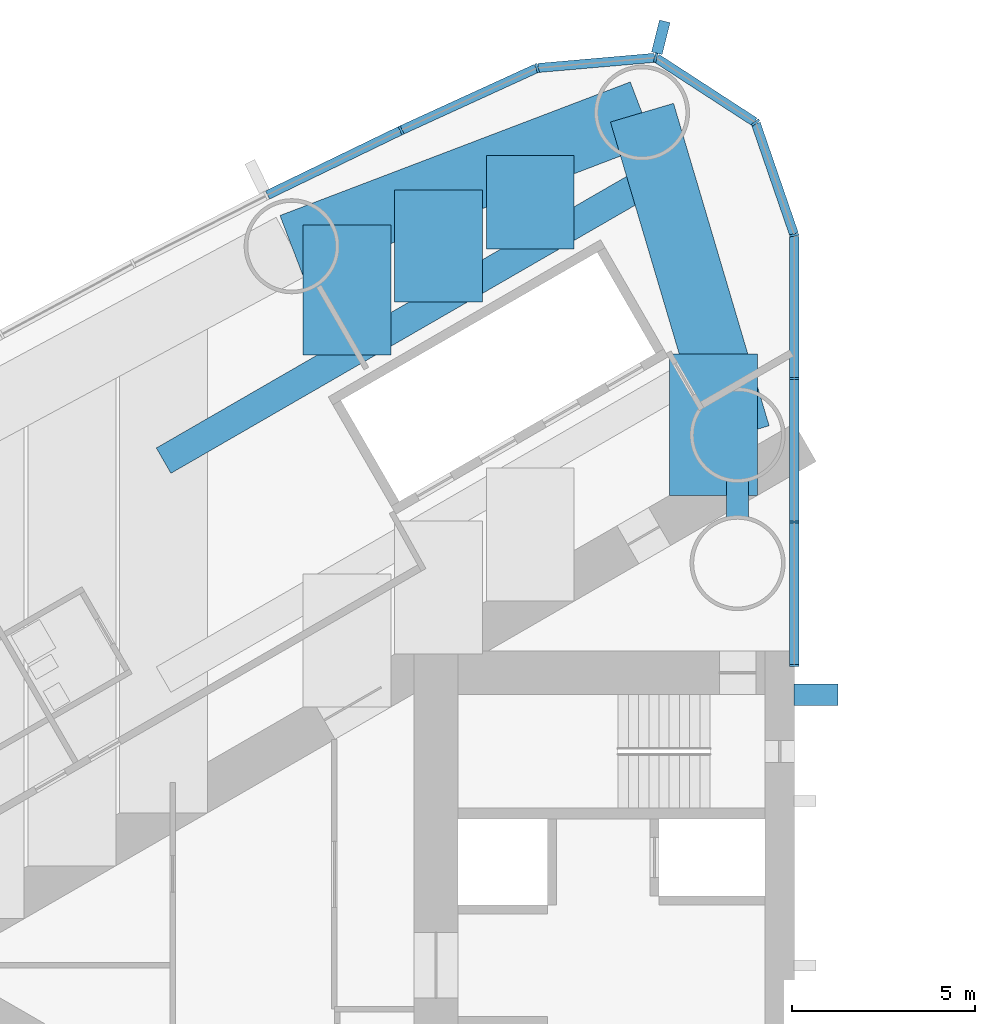
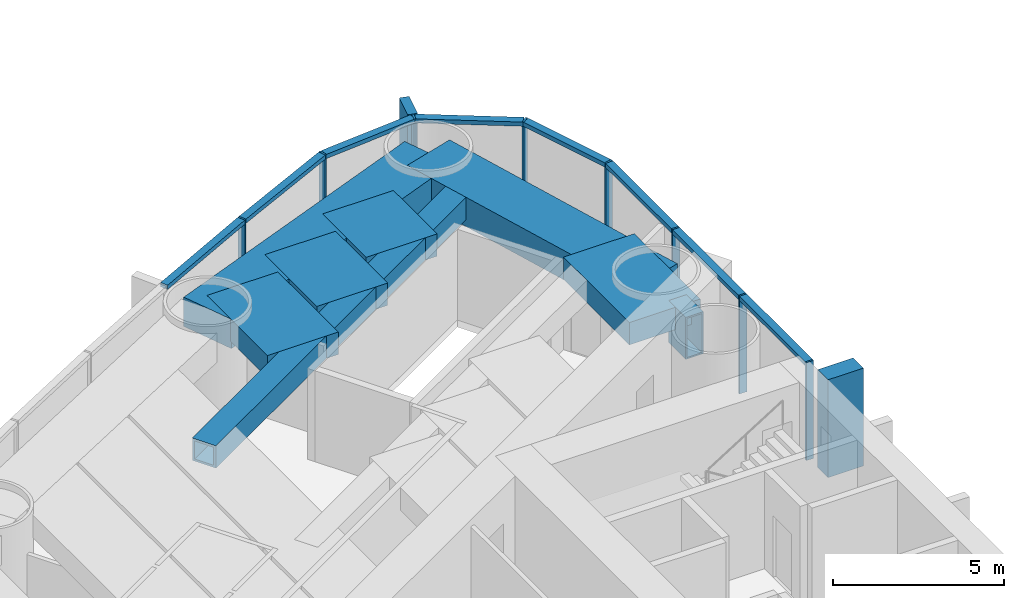
# One storey, part 5 of 18: 18 members, 8 beams, 1 element without a shape of its own.
"""IFC4 building model written with IfcOpenShell, lengths in metres."""

from ifc_helpers import new_model, si_unit, direction, frame, origin, origin_2d, place, context, subcontext, project, spatial, rectangle, hollow_rectangle, extrude, material, material_profile, profile_set, type_object, element, aggregate, save


model = new_model("IFC4")

# Units and contexts
model_context = context("Model", 3, precision=1e-05, world=origin(), true_north=direction((0.0, 1.0)))
body_context = subcontext(model_context, "Body", "Model", "MODEL_VIEW")
ifc_project = project(units=[si_unit("LENGTHUNIT", "METRE"), si_unit("AREAUNIT", "SQUARE_METRE"), si_unit("VOLUMEUNIT", "CUBIC_METRE"), si_unit("PLANEANGLEUNIT", "RADIAN"), si_unit("MASSUNIT", "GRAM", prefix="KILO")], contexts=[model_context])

# Site, building, storey
site_placement = place(None, origin())
site = spatial("IfcSite", under=ifc_project, at=site_placement, CompositionType="ELEMENT")
building_placement = place(site_placement, origin())
building = spatial("IfcBuilding", under=site, at=building_placement, Name="Lancet Gate Hotel", CompositionType="ELEMENT")
storey_placement = place(building_placement, frame((0.0, 0.0, 118.60009765625)))
storey = spatial("IfcBuildingStorey", under=building, at=storey_placement, Name="L31", CompositionType="ELEMENT", Elevation=118.60009765625)

# Curtain wall, members
ifc_material_1 = material(Name="Aluminium curtain wall", Category="aluminium")
curtain_wall_type = type_object("IfcCurtainWallType", Name="Tower unitised curtain wall", PredefinedType="USERDEFINED", material=ifc_material_1)
curtain_wall_placement = place(storey_placement, origin())
curtain_wall = element("IfcCurtainWall", 1, at=curtain_wall_placement, inside=storey, type_object=curtain_wall_type, Name="T1 L31 curtain wall 1", ObjectType="UNITISED CURTAIN WALL", PredefinedType="USERDEFINED")
ifc_material_2 = material(Name="Aluminium mullion", Category="aluminium")
ifc_material_profile_1 = material_profile(ifc_material_2, rectangle(XDim=0.06494140625, YDim=0.25, at=origin_2d()), Name="MULLION 65x250")
ifc_profile_set_1 = profile_set([ifc_material_profile_1], Name="Aluminium mullion")
member_type_1 = type_object("IfcMemberType", Name="Aluminium mullion 65x250", PredefinedType="MULLION", material=ifc_profile_set_1)
member_1_placement = place(storey_placement, frame((-27.5, 8.199951171875, 0.0), z_axis=(0.0, 0.0, 1.0), x_axis=(0.0, 1.0, 0.0)))
member_1 = element("IfcMember", 2, at=member_1_placement, type_object=member_type_1, Name="T1 L31 curtain wall 1 mullion 1", PredefinedType="MULLION", context=body_context, shape_type="SweptSolid", body=[
    extrude(rectangle(XDim=0.06494140625, YDim=0.25, at=origin_2d()), origin(), (0.0, 0.0, 1.0), 3.5),
])
member_2_placement = place(storey_placement, frame((-27.5, 12.123779296875, 0.0), z_axis=(0.0, 0.0, 1.0), x_axis=(0.0, 1.0, 0.0)))
member_2 = element("IfcMember", 3, at=member_2_placement, type_object=member_type_1, Name="T1 L31 curtain wall 1 mullion 2", PredefinedType="MULLION", context=body_context, shape_type="SweptSolid", body=[
    extrude(rectangle(XDim=0.06494140625, YDim=0.25, at=origin_2d()), origin(), (0.0, 0.0, 1.0), 3.5),
])
member_3_placement = place(storey_placement, frame((-27.5, 16.04736328125, 0.0), z_axis=(0.0, 0.0, 1.0), x_axis=(0.0, 1.0, 0.0)))
member_3 = element("IfcMember", 4, at=member_3_placement, type_object=member_type_1, Name="T1 L31 curtain wall 1 mullion 3", PredefinedType="MULLION", context=body_context, shape_type="SweptSolid", body=[
    extrude(rectangle(XDim=0.06494140625, YDim=0.25, at=origin_2d()), origin(), (0.0, 0.0, 1.0), 3.5),
])
member_4_placement = place(storey_placement, frame((-27.5, 19.97119140625, 0.0), z_axis=(0.0, 0.0, 1.0), x_axis=(-0.149634446211, 0.988741388082, 0.0)))
member_4 = element("IfcMember", 5, at=member_4_placement, type_object=member_type_1, Name="T1 L31 curtain wall 1 mullion 4", PredefinedType="MULLION", context=body_context, shape_type="SweptSolid", body=[
    extrude(rectangle(XDim=0.06494140625, YDim=0.25, at=origin_2d()), origin(), (0.0, 0.0, 1.0), 3.5),
])
member_5_placement = place(storey_placement, frame((-28.5595703125, 23.049072265625, 0.0), z_axis=(0.0, 0.0, 1.0), x_axis=(-0.615574240878, 0.788078900851, 0.0)))
member_5 = element("IfcMember", 6, at=member_5_placement, type_object=member_type_1, Name="T1 L31 curtain wall 1 mullion 5", PredefinedType="MULLION", context=body_context, shape_type="SweptSolid", body=[
    extrude(rectangle(XDim=0.06494140625, YDim=0.25, at=origin_2d()), origin(), (0.0, 0.0, 1.0), 3.5),
])
member_6_placement = place(storey_placement, frame((-31.289306640625, 24.822265625, 0.0), z_axis=(0.0, 0.0, 1.0), x_axis=(-0.970242142288, 0.242136707934, 0.0)))
member_6 = element("IfcMember", 7, at=member_6_placement, type_object=member_type_1, Name="T1 L31 curtain wall 1 mullion 6", PredefinedType="MULLION", context=body_context, shape_type="SweptSolid", body=[
    extrude(rectangle(XDim=0.06494140625, YDim=0.25, at=origin_2d()), origin(), (0.0, 0.0, 1.0), 3.5),
])
member_7_placement = place(storey_placement, frame((-34.5322265625, 24.53955078125, 0.0), z_axis=(0.0, 0.0, 1.0), x_axis=(-0.961653318232, -0.27426792655, 0.0)))
member_7 = element("IfcMember", 8, at=member_7_placement, type_object=member_type_1, Name="T1 L31 curtain wall 1 mullion 7", PredefinedType="MULLION", context=body_context, shape_type="SweptSolid", body=[
    extrude(rectangle(XDim=0.06494140625, YDim=0.25, at=origin_2d()), origin(), (0.0, 0.0, 1.0), 3.5),
])
member_8_placement = place(storey_placement, frame((-38.25244140625, 22.83642578125, 0.0), z_axis=(0.0, 0.0, 1.0), x_axis=(-0.904719609771, -0.426007544178, 0.0)))
member_8 = element("IfcMember", 9, at=member_8_placement, type_object=member_type_1, Name="T1 L31 curtain wall 1 mullion 8", PredefinedType="MULLION", context=body_context, shape_type="SweptSolid", body=[
    extrude(rectangle(XDim=0.06494140625, YDim=0.25, at=origin_2d()), origin(), (0.0, 0.0, 1.0), 3.5),
])
ifc_material_3 = material(Name="Aluminium transom", Category="aluminium")
ifc_material_profile_2 = material_profile(ifc_material_3, rectangle(XDim=0.25, YDim=0.14990234375, at=origin_2d()), Name="TRANSOM 250x150")
ifc_profile_set_2 = profile_set([ifc_material_profile_2], Name="Aluminium transom")
member_type_2 = type_object("IfcMemberType", Name="Aluminium transom 250x150", PredefinedType="USERDEFINED", material=ifc_profile_set_2)
member_9_placement = place(storey_placement, frame((-27.5, 8.232421875, 3.4248046875), z_axis=(0.0, 1.0, 0.0), x_axis=(-1.0, 0.0, 0.0)))
member_9 = element("IfcMember", 10, at=member_9_placement, type_object=member_type_2, Name="T1 L31 curtain wall 1 transom 1", ObjectType="TRANSOM", PredefinedType="USERDEFINED", context=body_context, shape_type="SweptSolid", body=[
    extrude(rectangle(XDim=0.25, YDim=0.14990234375, at=origin_2d()), origin(), (0.0, 0.0, 1.0), 3.85888671875),
])
member_10_placement = place(storey_placement, frame((-27.5, 12.15625, 3.4248046875), z_axis=(0.0, 1.0, 0.0), x_axis=(-1.0, 0.0, 0.0)))
member_10 = element("IfcMember", 11, at=member_10_placement, type_object=member_type_2, Name="T1 L31 curtain wall 1 transom 2", ObjectType="TRANSOM", PredefinedType="USERDEFINED", context=body_context, shape_type="SweptSolid", body=[
    extrude(rectangle(XDim=0.25, YDim=0.14990234375, at=origin_2d()), origin(), (0.0, 0.0, 1.0), 3.858642578125),
])
member_11_placement = place(storey_placement, frame((-27.5, 16.079833984375, 3.4248046875), z_axis=(0.0, 1.0, 0.0), x_axis=(-1.0, 0.0, 0.0)))
member_11 = element("IfcMember", 12, at=member_11_placement, type_object=member_type_2, Name="T1 L31 curtain wall 1 transom 3", ObjectType="TRANSOM", PredefinedType="USERDEFINED", context=body_context, shape_type="SweptSolid", body=[
    extrude(rectangle(XDim=0.25, YDim=0.14990234375, at=origin_2d()), origin(), (0.0, 0.0, 1.0), 3.858642578125),
])
member_12_placement = place(storey_placement, frame((-27.510498046875, 20.001708984375, 3.4248046875), z_axis=(-0.32553312754, 0.945530635609, 0.0), x_axis=(-0.945530635609, -0.32553312754, 0.0)))
member_12 = element("IfcMember", 13, at=member_12_placement, type_object=member_type_2, Name="T1 L31 curtain wall 1 transom 4", ObjectType="TRANSOM", PredefinedType="USERDEFINED", context=body_context, shape_type="SweptSolid", body=[
    extrude(rectangle(XDim=0.25, YDim=0.14990234375, at=origin_2d()), origin(), (0.0, 0.0, 1.0), 3.1904296875),
])
member_13_placement = place(storey_placement, frame((-28.5869140625, 23.066650390625, 3.4248046875), z_axis=(-0.838550259452, 0.544824249068, 0.0), x_axis=(-0.544824249068, -0.838550259452, 0.0)))
member_13 = element("IfcMember", 14, at=member_13_placement, type_object=member_type_2, Name="T1 L31 curtain wall 1 transom 5", ObjectType="TRANSOM", PredefinedType="USERDEFINED", context=body_context, shape_type="SweptSolid", body=[
    extrude(rectangle(XDim=0.25, YDim=0.14990234375, at=origin_2d()), origin(), (0.0, 0.0, 1.0), 3.190185546875),
])
member_14_placement = place(storey_placement, frame((-31.32177734375, 24.819580078125, 3.4248046875), z_axis=(-0.996213545522, -0.086940046686, 0.0), x_axis=(0.086940046686, -0.996213545522, 0.0)))
member_14 = element("IfcMember", 15, at=member_14_placement, type_object=member_type_2, Name="T1 L31 curtain wall 1 transom 6", ObjectType="TRANSOM", PredefinedType="USERDEFINED", context=body_context, shape_type="SweptSolid", body=[
    extrude(rectangle(XDim=0.25, YDim=0.14990234375, at=origin_2d()), origin(), (0.0, 0.0, 1.0), 3.18994140625),
])
member_15_placement = place(storey_placement, frame((-34.561767578125, 24.52587890625, 3.4248046875), z_axis=(-0.909252284196, -0.416245460857, 0.0), x_axis=(0.416245460857, -0.909252284196, 0.0)))
member_15 = element("IfcMember", 16, at=member_15_placement, type_object=member_type_2, Name="T1 L31 curtain wall 1 transom 7", ObjectType="TRANSOM", PredefinedType="USERDEFINED", context=body_context, shape_type="SweptSolid", body=[
    extrude(rectangle(XDim=0.25, YDim=0.14990234375, at=origin_2d()), origin(), (0.0, 0.0, 1.0), 4.026611328125),
])
member_16_placement = place(storey_placement, frame((-38.28173828125, 22.822265625, 3.4248046875), z_axis=(-0.900065677074, -0.435754262117, 0.0), x_axis=(0.435754262117, -0.900065677074, 0.0)))
member_16 = element("IfcMember", 17, at=member_16_placement, type_object=member_type_2, Name="T1 L31 curtain wall 1 transom 8", ObjectType="TRANSOM", PredefinedType="USERDEFINED", context=body_context, shape_type="SweptSolid", body=[
    extrude(rectangle(XDim=0.25, YDim=0.14990234375, at=origin_2d()), origin(), (0.0, 0.0, 1.0), 4.026611328125),
])

# Beams
ifc_material_4 = material(Name="Concrete C50/60", Category="concrete")
ifc_material_profile_3 = material_profile(ifc_material_4, rectangle(XDim=1.800048828125, YDim=1.050048828125, at=origin_2d()), Name="RC 1800x1050")
ifc_profile_set_3 = profile_set([ifc_material_profile_3], Name="Concrete C50/60")
beam_type_1 = type_object("IfcBeamType", Name="Edge beam RC 1800x1050", PredefinedType="SPANDREL", material=ifc_profile_set_3)
beam_1_placement = place(storey_placement, frame((-31.66455078125, 23.318359375, 2.724853515625), z_axis=(-0.934392266213, -0.356245832033, 0.0), x_axis=(0.356245832033, -0.934392266213, 0.0)))
element("IfcBeam", 18, at=beam_1_placement, inside=storey, type_object=beam_type_1, Name="T1 edge beam EB1 L31", PredefinedType="SPANDREL", context=body_context, shape_type="SweptSolid", body=[
    extrude(rectangle(XDim=1.800048828125, YDim=1.050048828125, at=origin_2d()), origin(), (0.0, 0.0, 1.0), 10.2529296875),
])
beam_2_placement = place(storey_placement, frame((-31.66455078125, 23.318359375, 2.724853515625), z_axis=(0.284253711522, -0.958749095168, 0.0), x_axis=(0.958749095168, 0.284253711522, 0.0)))
element("IfcBeam", 19, at=beam_2_placement, inside=storey, type_object=beam_type_1, Name="T1 edge beam EB1 L31", PredefinedType="SPANDREL", context=body_context, shape_type="SweptSolid", body=[
    extrude(rectangle(XDim=1.800048828125, YDim=1.050048828125, at=origin_2d()), origin(), (0.0, 0.0, 1.0), 9.19775390625),
])

# Member
ifc_material_5 = material(Name="Concrete C60/75", Category="concrete")
ifc_material_profile_4 = material_profile(ifc_material_5, rectangle(XDim=0.60009765625, YDim=1.199951171875, at=origin_2d()), Name="FIN 600x1200")
ifc_profile_set_4 = profile_set([ifc_material_profile_4], Name="Concrete C60/75")
member_type_3 = type_object("IfcMemberType", Name="Exposed concrete buttress pilaster 600x1200", PredefinedType="USERDEFINED", material=ifc_profile_set_4)
member_17_placement = place(storey_placement, frame((-26.909912109375, 7.39990234375, 0.0), z_axis=(0.0, 0.0, 1.0), x_axis=(0.0, 1.0, 0.0)))
element("IfcMember", 20, at=member_17_placement, inside=storey, type_object=member_type_3, Name="T1 buttress pilaster S L31", ObjectType="FIN", PredefinedType="USERDEFINED", context=body_context, shape_type="SweptSolid", body=[
    extrude(rectangle(XDim=0.60009765625, YDim=1.199951171875, at=origin_2d()), origin(), (0.0, 0.0, 1.0), 3.5),
])

ifc_material_6 = material(Name="Precast concrete C50/60", Category="concrete")
ifc_material_profile_5 = material_profile(ifc_material_6, rectangle(XDim=0.300048828125, YDim=0.89990234375, at=origin_2d()), Name="FIN 300x900")
ifc_profile_set_5 = profile_set([ifc_material_profile_5], Name="Precast concrete C50/60")
member_type_4 = type_object("IfcMemberType", Name="Exposed concrete fin 300x900", PredefinedType="USERDEFINED", material=ifc_profile_set_5)
member_18_placement = place(storey_placement, frame((-31.150146484375, 25.380126953125, 0.0), z_axis=(0.0, 0.0, 1.0), x_axis=(-0.970242142288, 0.242136707934, 0.0)))
member_18 = element("IfcMember", 21, at=member_18_placement, type_object=member_type_4, Name="T1 L31 curtain wall 1 fin 6", ObjectType="FIN", PredefinedType="USERDEFINED", context=body_context, shape_type="SweptSolid", body=[
    extrude(rectangle(XDim=0.300048828125, YDim=0.89990234375, at=origin_2d()), origin(), (0.0, 0.0, 1.0), 3.5),
])

aggregate(curtain_wall, [member_1, member_2, member_3, member_4, member_5, member_6, member_18, member_7, member_8, member_9, member_10, member_11, member_12, member_13, member_14, member_15, member_16])

# Beams
ifc_material_7 = material(Name="Concrete C50/60", Category="concrete")
ifc_material_profile_6 = material_profile(ifc_material_7, rectangle(XDim=2.39990234375, YDim=0.800048828125, at=origin_2d()), Name="RC 2400x800")
ifc_profile_set_6 = profile_set([ifc_material_profile_6], Name="Concrete C50/60")
beam_type_2 = type_object("IfcBeamType", Name="Floor beam RC 2400x800", PredefinedType="BEAM", material=ifc_profile_set_6)
beam_3_placement = place(storey_placement, frame((-29.706787109375, 16.71533203125, 2.849853515625), z_axis=(0.0, -1.0, 0.0), x_axis=(1.0, 0.0, 0.0)))
element("IfcBeam", 22, at=beam_3_placement, inside=storey, type_object=beam_type_2, Name="T1 floor beam F02S L31", PredefinedType="BEAM", context=body_context, shape_type="SweptSolid", body=[
    extrude(rectangle(XDim=2.39990234375, YDim=0.800048828125, at=origin_2d()), origin(), (0.0, 0.0, 1.0), 3.86279296875),
])
beam_4_placement = place(storey_placement, frame((-34.720458984375, 22.1533203125, 2.849853515625), z_axis=(0.0, -1.0, 0.0), x_axis=(1.0, 0.0, 0.0)))
element("IfcBeam", 23, at=beam_4_placement, inside=storey, type_object=beam_type_2, Name="T1 floor beam F04SA L31", PredefinedType="BEAM", context=body_context, shape_type="SweptSolid", body=[
    extrude(rectangle(XDim=2.39990234375, YDim=0.800048828125, at=origin_2d()), origin(), (0.0, 0.0, 1.0), 2.561767578125),
])
beam_5_placement = place(storey_placement, frame((-37.227294921875, 21.197509765625, 2.849853515625), z_axis=(0.0, -1.0, 0.0), x_axis=(1.0, 0.0, 0.0)))
element("IfcBeam", 24, at=beam_5_placement, inside=storey, type_object=beam_type_2, Name="T1 floor beam F05SA L31", PredefinedType="BEAM", context=body_context, shape_type="SweptSolid", body=[
    extrude(rectangle(XDim=2.39990234375, YDim=0.800048828125, at=origin_2d()), origin(), (0.0, 0.0, 1.0), 3.053466796875),
])
beam_6_placement = place(storey_placement, frame((-39.734130859375, 20.24169921875, 2.849853515625), z_axis=(0.0, -1.0, 0.0), x_axis=(1.0, 0.0, 0.0)))
element("IfcBeam", 25, at=beam_6_placement, inside=storey, type_object=beam_type_2, Name="T1 floor beam F07SA L31", PredefinedType="BEAM", context=body_context, shape_type="SweptSolid", body=[
    extrude(rectangle(XDim=2.39990234375, YDim=0.800048828125, at=origin_2d()), origin(), (0.0, 0.0, 1.0), 3.545166015625),
])
ifc_material_8 = material(Name="Steel S460QL", Category="steel")
ifc_material_profile_7 = material_profile(ifc_material_8, hollow_rectangle(XDim=0.60009765625, YDim=1.5, WallThickness=0.050048828125, at=origin_2d()), Name="BOX 1500x600x50")
ifc_profile_set_7 = profile_set([ifc_material_profile_7], Name="Steel S460QL")
beam_type_3 = type_object("IfcBeamType", Name="Inner-face link beam BOX 1500x600x50", PredefinedType="BEAM", material=ifc_profile_set_7)
beam_7_placement = place(storey_placement, frame((-29.050048828125, 13.25, 2.5), z_axis=(0.0, -1.0, 0.0), x_axis=(1.0, 0.0, 0.0)))
element("IfcBeam", 26, at=beam_7_placement, inside=storey, type_object=beam_type_3, Name="T1 inner-face link beam LK1 L31", PredefinedType="BEAM", context=body_context, shape_type="SweptSolid", body=[
    extrude(hollow_rectangle(XDim=0.60009765625, YDim=1.5, WallThickness=0.050048828125, at=origin_2d()), origin(), (0.0, 0.0, 1.0), 1.0),
])
ifc_material_9 = material(Name="Steel S460QL", Category="steel")
ifc_material_profile_8 = material_profile(ifc_material_9, hollow_rectangle(XDim=0.800048828125, YDim=0.800048828125, WallThickness=0.080078125, at=origin_2d()), Name="BOX 800x800x80")
ifc_profile_set_8 = profile_set([ifc_material_profile_8], Name="Steel S460QL")
beam_type_4 = type_object("IfcBeamType", Name="Trimmer beam BOX 800x800x80", PredefinedType="BEAM", material=ifc_profile_set_8)
beam_8_placement = place(storey_placement, frame((-31.16796875, 21.642822265625, 2.849853515625), z_axis=(-0.866004868127, -0.500035567115, 0.0), x_axis=(0.500035567115, -0.866004868127, 0.0)))
element("IfcBeam", 27, at=beam_8_placement, inside=storey, type_object=beam_type_4, Name="T1 trimmer beam TR04S L31", PredefinedType="BEAM", context=body_context, shape_type="SweptSolid", body=[
    extrude(hollow_rectangle(XDim=0.800048828125, YDim=0.800048828125, WallThickness=0.080078125, at=origin_2d()), origin(), (0.0, 0.0, 1.0), 15.680908203125),
])

save(model, "model.ifc")
